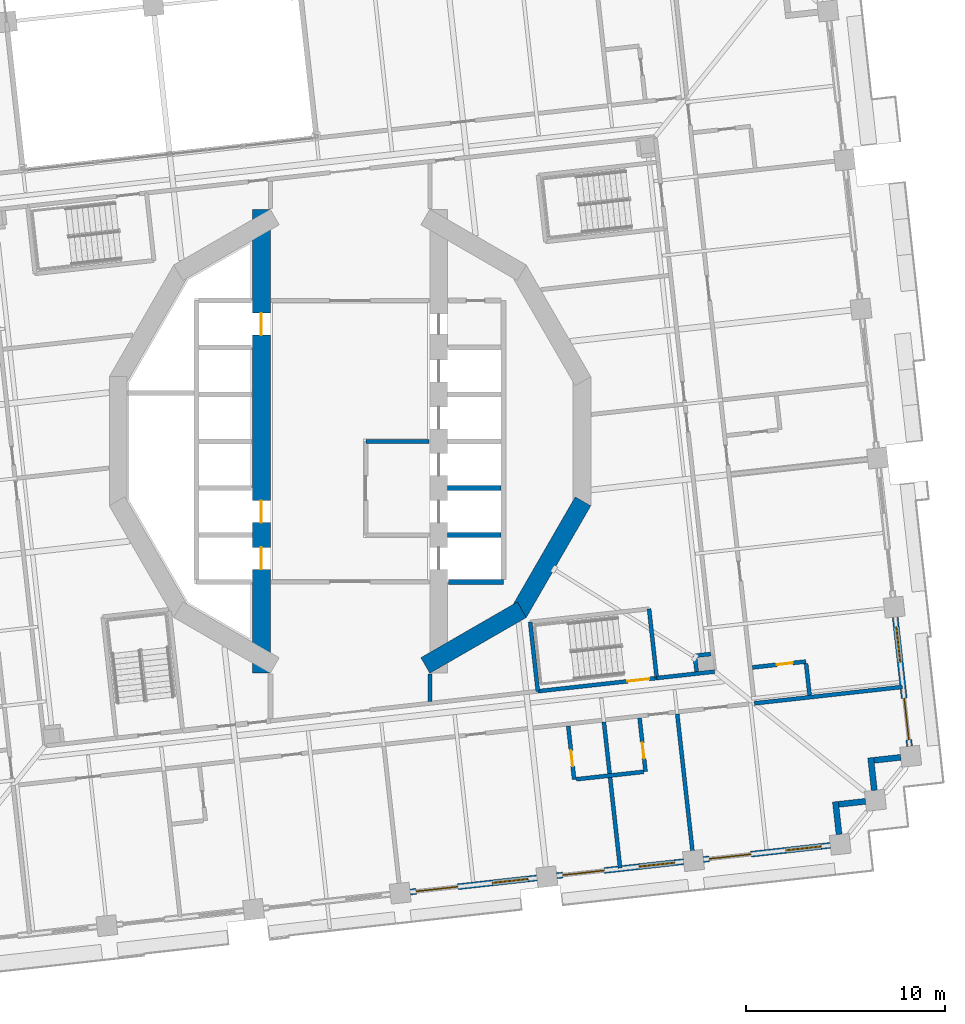
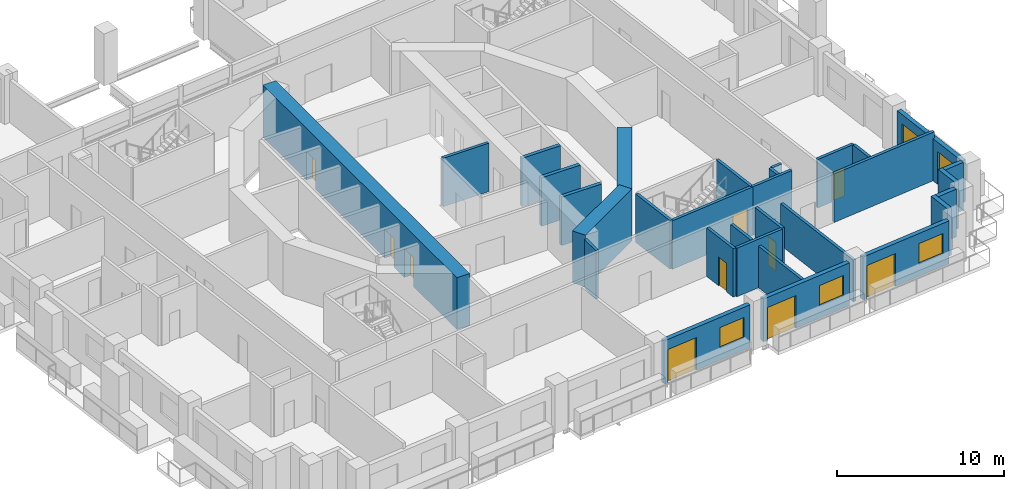
# One storey, part 9 of 21: 30 walls, 11 doors, 4 windows, 15 openings.
"""IFC4 building model written with IfcOpenShell, lengths in metres."""

from ifc_helpers import new_model, si_unit, direction, frame, frame_2d, origin, place, context, subcontext, project, spatial, rectangle, extrude, material, layer, layer_set, type_object, element, fill, save


model = new_model("IFC4")

# Units and contexts
model_context = context("Model", 3, precision=1e-05, world=origin(), true_north=direction((0.0, 1.0)))
body_context = subcontext(model_context, "Body", "Model", "MODEL_VIEW")
ifc_project = project(units=[si_unit("LENGTHUNIT", "METRE"), si_unit("AREAUNIT", "SQUARE_METRE"), si_unit("VOLUMEUNIT", "CUBIC_METRE"), si_unit("PLANEANGLEUNIT", "RADIAN"), si_unit("MASSUNIT", "GRAM", prefix="KILO")], contexts=[model_context])

# Site, building, storey
site_placement = place(None, origin())
site = spatial("IfcSite", under=ifc_project, at=site_placement, CompositionType="ELEMENT")
building_placement = place(site_placement, origin())
building = spatial("IfcBuilding", under=site, at=building_placement, Name="Cantera Rosa Tower", CompositionType="ELEMENT")
storey_placement = place(building_placement, frame((0.0, 0.0, 61.5)))
storey = spatial("IfcBuildingStorey", under=building, at=storey_placement, Name="L12", CompositionType="ELEMENT", Elevation=61.5)

# Walls
ifc_material_1 = material(Name="Gypsum board partition")
ifc_layer_1 = layer(ifc_material_1, 0.199951171875)
ifc_layer_set_1 = layer_set([ifc_layer_1], Name="CORRIDOR WALL 200 H3550")
wall_type_1 = type_object("IfcWallType", Name="CORRIDOR WALL 200 H3550", PredefinedType="PARTITIONING", material=ifc_layer_set_1)
wall_1_placement = place(storey_placement, frame((4.0, -13.038818359375, 0.0), z_axis=(0.0, 0.0, 1.0), x_axis=(0.0, 1.0, 0.0)))
element("IfcWall", 1, at=wall_1_placement, inside=storey, type_object=wall_type_1, Name="CORRIDOR WALL L12-059", PredefinedType="PARTITIONING", context=body_context, shape_type="SweptSolid", body=[
    extrude(rectangle(XDim=1.37158203125, YDim=0.199951171875, at=frame_2d((0.685791015625, 0.0))), origin(), (0.0, 0.0, 1.0), 3.550048828125),
])
wall_2_placement = place(storey_placement, frame((15.382080078125, -11.87548828125, 0.0), z_axis=(0.0, 0.0, 1.0), x_axis=(0.993899009794, 0.110293963256, 0.0)))
element("IfcWall", 2, at=wall_2_placement, inside=storey, type_object=wall_type_1, Name="CORRIDOR WALL L12-086", PredefinedType="PARTITIONING", context=body_context, shape_type="SweptSolid", body=[
    extrude(rectangle(XDim=2.921875, YDim=0.199951171875, at=frame_2d((1.4609375, 0.0))), origin(), (0.0, 0.0, 1.0), 3.550048828125),
])
ifc_material_2 = material(Name="Hollow clay masonry with cantera stone cladding", Category="masonry")
ifc_layer_2 = layer(ifc_material_2, 0.300048828125)
ifc_layer_set_2 = layer_set([ifc_layer_2], Name="EW-LOGGIA 300")
wall_type_2 = type_object("IfcWallType", Name="EW-LOGGIA 300", PredefinedType="SOLIDWALL", material=ifc_layer_set_2)
wall_3_placement = place(storey_placement, frame((24.5244140625, -19.71484375, 0.0), z_axis=(0.0, 0.0, 1.0), x_axis=(-0.110236638423, 0.993905369514, 0.0)))
element("IfcWall", 3, at=wall_3_placement, inside=storey, type_object=wall_type_2, Name="EN-L12-W29a", PredefinedType="SOLIDWALL", context=body_context, shape_type="SweptSolid", body=[
    extrude(rectangle(XDim=1.64990234375, YDim=0.300048828125, at=frame_2d((0.824951171875, 0.0))), origin(), (0.0, 0.0, 1.0), 3.5),
])
wall_4_placement = place(storey_placement, frame((24.508056640625, -18.20751953125, 0.0), z_axis=(0.0, 0.0, 1.0), x_axis=(0.993896959738, 0.110312435488, 0.0)))
element("IfcWall", 4, at=wall_4_placement, inside=storey, type_object=wall_type_2, Name="EN-L12-W29b", PredefinedType="SOLIDWALL", context=body_context, shape_type="SweptSolid", body=[
    extrude(rectangle(XDim=1.35009765625, YDim=0.300048828125, at=frame_2d((0.675048828125, 0.0))), origin(), (0.0, 0.0, 1.0), 3.5),
])
wall_5_placement = place(storey_placement, frame((26.291748046875, -17.506591796875, 0.0), z_axis=(0.0, 0.0, 1.0), x_axis=(-0.110382805355, 0.993889146878, 0.0)))
element("IfcWall", 5, at=wall_5_placement, inside=storey, type_object=wall_type_2, Name="EN-L12-W30a", PredefinedType="SOLIDWALL", context=body_context, shape_type="SweptSolid", body=[
    extrude(rectangle(XDim=1.64990234375, YDim=0.300048828125, at=frame_2d((0.824951171875, 0.0))), origin(), (0.0, 0.0, 1.0), 3.5),
])
wall_6_placement = place(storey_placement, frame((26.275146484375, -15.999267578125, 0.0), z_axis=(0.0, 0.0, 1.0), x_axis=(0.993896959738, 0.110312435488, 0.0)))
element("IfcWall", 6, at=wall_6_placement, inside=storey, type_object=wall_type_2, Name="EN-L12-W30b", PredefinedType="SOLIDWALL", context=body_context, shape_type="SweptSolid", body=[
    extrude(rectangle(XDim=1.35009765625, YDim=0.300048828125, at=frame_2d((0.675048828125, 0.0))), origin(), (0.0, 0.0, 1.0), 3.5),
])

# Wall, openings, window, door
ifc_material_3 = material(Name="Hollow clay masonry with cantera stone cladding", Category="masonry")
ifc_layer_3 = layer(ifc_material_3, 0.300048828125)
ifc_layer_set_3 = layer_set([ifc_layer_3], Name="EW-LOGGIA 300 H3090")
wall_type_3 = type_object("IfcWallType", Name="EW-LOGGIA 300 H3090", PredefinedType="SOLIDWALL", material=ifc_layer_set_3)
wall_7_placement = place(storey_placement, frame((28.058837890625, -15.298095703125, 0.0), z_axis=(0.0, 0.0, 1.0), x_axis=(-0.110312341265, 0.993896970196, 0.0)))
wall_7 = element("IfcWall", 7, at=wall_7_placement, inside=storey, type_object=wall_type_3, Name="EN-L12-W01", PredefinedType="SOLIDWALL", context=body_context, shape_type="SweptSolid", body=[
    extrude(rectangle(XDim=6.52001953125, YDim=0.300048828125, at=frame_2d((3.260009765625, 0.0))), origin(), (0.0, 0.0, 1.0), 3.090087890625),
])
opening_1_placement = place(wall_7_placement, frame((0.330078125, 0.0, 0.0)))
opening_1 = element("IfcOpeningElement", 8, at=opening_1_placement, cuts=wall_7, Name="Opening L12-TD01", PredefinedType="OPENING", context=body_context, shape_type="SweptSolid", body=[
    extrude(rectangle(XDim=2.10009765625, YDim=2.39990234375, at=frame_2d((1.050048828125, 1.199951171875))), frame((0.0, 0.159912109375, 0.0), z_axis=(0.0, -1.0, 0.0), x_axis=(1.0, 0.0, 0.0)), (0.0, 0.0, 1.0), 0.320068359375),
])
opening_2_placement = place(wall_7_placement, frame((4.239990234375, 0.0, 0.89990234375)))
opening_2 = element("IfcOpeningElement", 9, at=opening_2_placement, cuts=wall_7, Name="Opening L12-W02", PredefinedType="OPENING", context=body_context, shape_type="SweptSolid", body=[
    extrude(rectangle(XDim=1.800048828125, YDim=1.5, at=frame_2d((0.89990234375, 0.75))), frame((0.0, 0.159912109375, 0.0), z_axis=(0.0, -1.0, 0.0), x_axis=(1.0, 0.0, 0.0)), (0.0, 0.0, 1.0), 0.320068359375),
])
ifc_material_4 = material(Name="Aluminium frame with clear glass", Category="aluminium")
window_type = type_object("IfcWindowType", Name="Hotel room window 1800x1500", PartitioningType="DOUBLE_PANEL_VERTICAL", PredefinedType="WINDOW", material=ifc_material_4)
window_1_placement = place(opening_2_placement, origin())
window_1 = element("IfcWindow", 10, at=window_1_placement, inside=storey, type_object=window_type, Name="WINDOW L12-W02", OverallHeight=1.5, OverallWidth=1.800048828125, PartitioningType="SINGLE_PANEL", PredefinedType="WINDOW", context=body_context, shape_type="SweptSolid", body=[
    extrude(rectangle(XDim=1.800048828125, YDim=1.5, at=frame_2d((0.89990234375, 0.75))), frame((0.0, 0.030029296875, 0.0), z_axis=(0.0, -1.0, 0.0), x_axis=(1.0, 0.0, 0.0)), (0.0, 0.0, 1.0), 0.06005859375),
])
fill(opening_2, window_1)
ifc_material_5 = material(Name="Aluminium frame with clear glass", Category="aluminium")
door_type_1 = type_object("IfcDoorType", Name="TD-H 2100x2400", OperationType="NOTDEFINED", PredefinedType="DOOR", material=ifc_material_5)
door_1_placement = place(opening_1_placement, origin())
door_1 = element("IfcDoor", 11, at=door_1_placement, inside=storey, type_object=door_type_1, Name="LOGGIA DOOR L12-TD01", OperationType="SLIDING_TO_LEFT", OverallHeight=2.39990234375, OverallWidth=2.10009765625, PredefinedType="DOOR", context=body_context, shape_type="SweptSolid", body=[
    extrude(rectangle(XDim=2.10009765625, YDim=2.39990234375, at=frame_2d((1.050048828125, 1.199951171875))), frame((0.0, 0.02490234375, 0.0), z_axis=(0.0, -1.0, 0.0), x_axis=(1.0, 0.0, 0.0)), (0.0, 0.0, 1.0), 0.050048828125),
])
fill(opening_1, door_1)

ifc_material_6 = material(Name="Hollow clay masonry with cantera stone cladding", Category="masonry")
ifc_layer_4 = layer(ifc_material_6, 0.300048828125)
ifc_layer_set_4 = layer_set([ifc_layer_4], Name="EW-LOGGIA 300 H3140")
wall_type_4 = type_object("IfcWallType", Name="EW-LOGGIA 300 H3140", PredefinedType="SOLIDWALL", material=ifc_layer_set_4)
wall_8_placement = place(storey_placement, frame((3.011962890625, -22.605712890625, 0.0), z_axis=(0.0, 0.0, 1.0), x_axis=(0.993896288542, 0.110318482689, 0.0)))
wall_8 = element("IfcWall", 12, at=wall_8_placement, inside=storey, type_object=wall_type_4, Name="EN-L12-W26", PredefinedType="SOLIDWALL", context=body_context, shape_type="SweptSolid", body=[
    extrude(rectangle(XDim=6.400146484375, YDim=0.300048828125, at=frame_2d((3.2001953125, 0.0))), origin(), (0.0, 0.0, 1.0), 3.139892578125),
])
opening_3_placement = place(wall_8_placement, frame((0.300048828125, 0.0, 0.0)))
opening_3 = element("IfcOpeningElement", 13, at=opening_3_placement, cuts=wall_8, Name="Opening L12-TD35", PredefinedType="OPENING", context=body_context, shape_type="SweptSolid", body=[
    extrude(rectangle(XDim=2.10009765625, YDim=2.39990234375, at=frame_2d((1.050048828125, 1.199951171875))), frame((0.0, 0.159912109375, 0.0), z_axis=(0.0, -1.0, 0.0), x_axis=(1.0, 0.0, 0.0)), (0.0, 0.0, 1.0), 0.320068359375),
])
opening_4_placement = place(wall_8_placement, frame((4.14990234375, 0.0, 0.89990234375)))
opening_4 = element("IfcOpeningElement", 14, at=opening_4_placement, cuts=wall_8, Name="Opening L12-W36", PredefinedType="OPENING", context=body_context, shape_type="SweptSolid", body=[
    extrude(rectangle(XDim=1.800048828125, YDim=1.5, at=frame_2d((0.89990234375, 0.75))), frame((0.0, 0.159912109375, 0.0), z_axis=(0.0, -1.0, 0.0), x_axis=(1.0, 0.0, 0.0)), (0.0, 0.0, 1.0), 0.320068359375),
])
window_2_placement = place(opening_4_placement, origin())
window_2 = element("IfcWindow", 15, at=window_2_placement, inside=storey, type_object=window_type, Name="WINDOW L12-W36", OverallHeight=1.5, OverallWidth=1.800048828125, PartitioningType="SINGLE_PANEL", PredefinedType="WINDOW", context=body_context, shape_type="SweptSolid", body=[
    extrude(rectangle(XDim=1.800048828125, YDim=1.5, at=frame_2d((0.89990234375, 0.75))), frame((0.0, 0.030029296875, 0.0), z_axis=(0.0, -1.0, 0.0), x_axis=(1.0, 0.0, 0.0)), (0.0, 0.0, 1.0), 0.06005859375),
])
fill(opening_4, window_2)
door_2_placement = place(opening_3_placement, origin())
door_2 = element("IfcDoor", 16, at=door_2_placement, inside=storey, type_object=door_type_1, Name="LOGGIA DOOR L12-TD35", OperationType="SLIDING_TO_LEFT", OverallHeight=2.39990234375, OverallWidth=2.10009765625, PredefinedType="DOOR", context=body_context, shape_type="SweptSolid", body=[
    extrude(rectangle(XDim=2.10009765625, YDim=2.39990234375, at=frame_2d((1.050048828125, 1.199951171875))), frame((0.0, 0.02490234375, 0.0), z_axis=(0.0, -1.0, 0.0), x_axis=(1.0, 0.0, 0.0)), (0.0, 0.0, 1.0), 0.050048828125),
])
fill(opening_3, door_2)

wall_9_placement = place(storey_placement, frame((10.366943359375, -21.789306640625, 0.0), z_axis=(0.0, 0.0, 1.0), x_axis=(0.993900006422, 0.110284981906, 0.0)))
wall_9 = element("IfcWall", 17, at=wall_9_placement, inside=storey, type_object=wall_type_4, Name="EN-L12-W27", PredefinedType="SOLIDWALL", context=body_context, shape_type="SweptSolid", body=[
    extrude(rectangle(XDim=6.39990234375, YDim=0.300048828125, at=frame_2d((3.199951171875, 0.0))), origin(), (0.0, 0.0, 1.0), 3.139892578125),
])
opening_5_placement = place(wall_9_placement, frame((0.300048828125, 0.0, 0.0)))
opening_5 = element("IfcOpeningElement", 18, at=opening_5_placement, cuts=wall_9, Name="Opening L12-TD37", PredefinedType="OPENING", context=body_context, shape_type="SweptSolid", body=[
    extrude(rectangle(XDim=2.10009765625, YDim=2.39990234375, at=frame_2d((1.050048828125, 1.199951171875))), frame((0.0, 0.159912109375, 0.0), z_axis=(0.0, -1.0, 0.0), x_axis=(1.0, 0.0, 0.0)), (0.0, 0.0, 1.0), 0.320068359375),
])
opening_6_placement = place(wall_9_placement, frame((4.14990234375, 0.0, 0.89990234375)))
opening_6 = element("IfcOpeningElement", 19, at=opening_6_placement, cuts=wall_9, Name="Opening L12-W38", PredefinedType="OPENING", context=body_context, shape_type="SweptSolid", body=[
    extrude(rectangle(XDim=1.800048828125, YDim=1.5, at=frame_2d((0.89990234375, 0.75))), frame((0.0, 0.159912109375, 0.0), z_axis=(0.0, -1.0, 0.0), x_axis=(1.0, 0.0, 0.0)), (0.0, 0.0, 1.0), 0.320068359375),
])
window_3_placement = place(opening_6_placement, origin())
window_3 = element("IfcWindow", 20, at=window_3_placement, inside=storey, type_object=window_type, Name="WINDOW L12-W38", OverallHeight=1.5, OverallWidth=1.800048828125, PartitioningType="SINGLE_PANEL", PredefinedType="WINDOW", context=body_context, shape_type="SweptSolid", body=[
    extrude(rectangle(XDim=1.800048828125, YDim=1.5, at=frame_2d((0.89990234375, 0.75))), frame((0.0, 0.030029296875, 0.0), z_axis=(0.0, -1.0, 0.0), x_axis=(1.0, 0.0, 0.0)), (0.0, 0.0, 1.0), 0.06005859375),
])
fill(opening_6, window_3)
door_3_placement = place(opening_5_placement, origin())
door_3 = element("IfcDoor", 21, at=door_3_placement, inside=storey, type_object=door_type_1, Name="LOGGIA DOOR L12-TD37", OperationType="SLIDING_TO_LEFT", OverallHeight=2.39990234375, OverallWidth=2.10009765625, PredefinedType="DOOR", context=body_context, shape_type="SweptSolid", body=[
    extrude(rectangle(XDim=2.10009765625, YDim=2.39990234375, at=frame_2d((1.050048828125, 1.199951171875))), frame((0.0, 0.02490234375, 0.0), z_axis=(0.0, -1.0, 0.0), x_axis=(1.0, 0.0, 0.0)), (0.0, 0.0, 1.0), 0.050048828125),
])
fill(opening_5, door_3)

wall_10_placement = place(storey_placement, frame((17.7216796875, -20.97314453125, 0.0), z_axis=(0.0, 0.0, 1.0), x_axis=(0.993896288542, 0.110318482689, 0.0)))
wall_10 = element("IfcWall", 22, at=wall_10_placement, inside=storey, type_object=wall_type_4, Name="EN-L12-W28", PredefinedType="SOLIDWALL", context=body_context, shape_type="SweptSolid", body=[
    extrude(rectangle(XDim=6.400146484375, YDim=0.300048828125, at=frame_2d((3.2001953125, 0.0))), origin(), (0.0, 0.0, 1.0), 3.139892578125),
])
opening_7_placement = place(wall_10_placement, frame((0.300048828125, 0.0, 0.0)))
opening_7 = element("IfcOpeningElement", 23, at=opening_7_placement, cuts=wall_10, Name="Opening L12-TD39", PredefinedType="OPENING", context=body_context, shape_type="SweptSolid", body=[
    extrude(rectangle(XDim=2.10009765625, YDim=2.39990234375, at=frame_2d((1.050048828125, 1.199951171875))), frame((0.0, 0.159912109375, 0.0), z_axis=(0.0, -1.0, 0.0), x_axis=(1.0, 0.0, 0.0)), (0.0, 0.0, 1.0), 0.320068359375),
])
opening_8_placement = place(wall_10_placement, frame((4.14990234375, 0.0, 0.89990234375)))
opening_8 = element("IfcOpeningElement", 24, at=opening_8_placement, cuts=wall_10, Name="Opening L12-W40", PredefinedType="OPENING", context=body_context, shape_type="SweptSolid", body=[
    extrude(rectangle(XDim=1.800048828125, YDim=1.5, at=frame_2d((0.89990234375, 0.75))), frame((0.0, 0.159912109375, 0.0), z_axis=(0.0, -1.0, 0.0), x_axis=(1.0, 0.0, 0.0)), (0.0, 0.0, 1.0), 0.320068359375),
])
window_4_placement = place(opening_8_placement, origin())
window_4 = element("IfcWindow", 25, at=window_4_placement, inside=storey, type_object=window_type, Name="WINDOW L12-W40", OverallHeight=1.5, OverallWidth=1.800048828125, PartitioningType="SINGLE_PANEL", PredefinedType="WINDOW", context=body_context, shape_type="SweptSolid", body=[
    extrude(rectangle(XDim=1.800048828125, YDim=1.5, at=frame_2d((0.89990234375, 0.75))), frame((0.0, 0.030029296875, 0.0), z_axis=(0.0, -1.0, 0.0), x_axis=(1.0, 0.0, 0.0)), (0.0, 0.0, 1.0), 0.06005859375),
])
fill(opening_8, window_4)
door_4_placement = place(opening_7_placement, origin())
door_4 = element("IfcDoor", 26, at=door_4_placement, inside=storey, type_object=door_type_1, Name="LOGGIA DOOR L12-TD39", OperationType="SLIDING_TO_LEFT", OverallHeight=2.39990234375, OverallWidth=2.10009765625, PredefinedType="DOOR", context=body_context, shape_type="SweptSolid", body=[
    extrude(rectangle(XDim=2.10009765625, YDim=2.39990234375, at=frame_2d((1.050048828125, 1.199951171875))), frame((0.0, 0.02490234375, 0.0), z_axis=(0.0, -1.0, 0.0), x_axis=(1.0, 0.0, 0.0)), (0.0, 0.0, 1.0), 0.050048828125),
])
fill(opening_7, door_4)

# Wall, opening, door
ifc_material_7 = material(Name="Gypsum board partition")
ifc_layer_5 = layer(ifc_material_7, 0.199951171875)
ifc_layer_set_5 = layer_set([ifc_layer_5], Name="PARTITION 200 H3550")
wall_type_5 = type_object("IfcWallType", Name="PARTITION 200 H3550", PredefinedType="PARTITIONING", material=ifc_layer_set_5)
wall_11_placement = place(storey_placement, frame((11.239990234375, -16.963623046875, 0.0), z_axis=(0.0, 0.0, 1.0), x_axis=(-0.110312435488, 0.993896959738, 0.0)))
wall_11 = element("IfcWall", 27, at=wall_11_placement, inside=storey, type_object=wall_type_5, Name="PARTITION L12-074", PredefinedType="PARTITIONING", context=body_context, shape_type="SweptSolid", body=[
    extrude(rectangle(XDim=2.699951171875, YDim=0.199951171875, at=frame_2d((1.35009765625, 0.0))), origin(), (0.0, 0.0, 1.0), 3.550048828125),
])
opening_9_placement = place(wall_11_placement, frame((0.6640625, 0.0, 0.0)))
opening_9 = element("IfcOpeningElement", 28, at=opening_9_placement, cuts=wall_11, Name="Opening L12-043", PredefinedType="OPENING", context=body_context, shape_type="SweptSolid", body=[
    extrude(rectangle(XDim=0.800048828125, YDim=2.10009765625, at=frame_2d((0.39990234375, 1.050048828125))), frame((0.0, 0.10986328125, 0.0), z_axis=(0.0, -1.0, 0.0), x_axis=(1.0, 0.0, 0.0)), (0.0, 0.0, 1.0), 0.219970703125),
])
ifc_material_8 = material(Name="Timber door leaf", Category="wood")
door_type_2 = type_object("IfcDoorType", Name="BATHROOM DOOR 800x2100", OperationType="NOTDEFINED", PredefinedType="DOOR", material=ifc_material_8)
door_5_placement = place(opening_9_placement, origin())
door_5 = element("IfcDoor", 29, at=door_5_placement, inside=storey, type_object=door_type_2, Name="DOOR L12-043", OperationType="NOTDEFINED", OverallHeight=2.10009765625, OverallWidth=0.800048828125, PredefinedType="DOOR", context=body_context, shape_type="SweptSolid", body=[
    extrude(rectangle(XDim=0.800048828125, YDim=2.10009765625, at=frame_2d((0.39990234375, 1.050048828125))), frame((0.0, 0.02490234375, 0.0), z_axis=(0.0, -1.0, 0.0), x_axis=(1.0, 0.0, 0.0)), (0.0, 0.0, 1.0), 0.050048828125),
])
fill(opening_9, door_5)

wall_12_placement = place(storey_placement, frame((14.52001953125, -13.883056640625, 0.0), z_axis=(0.0, 0.0, 1.0), x_axis=(0.110322349952, -0.993895859284, 0.0)))
wall_12 = element("IfcWall", 30, at=wall_12_placement, inside=storey, type_object=wall_type_5, Name="PARTITION L12-080", PredefinedType="PARTITIONING", context=body_context, shape_type="SweptSolid", body=[
    extrude(rectangle(XDim=2.699951171875, YDim=0.199951171875, at=frame_2d((1.35009765625, 0.0))), origin(), (0.0, 0.0, 1.0), 3.550048828125),
])
opening_10_placement = place(wall_12_placement, frame((1.236083984375, 0.0, 0.0)))
opening_10 = element("IfcOpeningElement", 31, at=opening_10_placement, cuts=wall_12, Name="Opening L12-045", PredefinedType="OPENING", context=body_context, shape_type="SweptSolid", body=[
    extrude(rectangle(XDim=0.800048828125, YDim=2.10009765625, at=frame_2d((0.39990234375, 1.050048828125))), frame((0.0, 0.10986328125, 0.0), z_axis=(0.0, -1.0, 0.0), x_axis=(1.0, 0.0, 0.0)), (0.0, 0.0, 1.0), 0.219970703125),
])
door_6_placement = place(opening_10_placement, origin())
door_6 = element("IfcDoor", 32, at=door_6_placement, inside=storey, type_object=door_type_2, Name="DOOR L12-045", OperationType="NOTDEFINED", OverallHeight=2.10009765625, OverallWidth=0.800048828125, PredefinedType="DOOR", context=body_context, shape_type="SweptSolid", body=[
    extrude(rectangle(XDim=0.800048828125, YDim=2.10009765625, at=frame_2d((0.39990234375, 1.050048828125))), frame((0.0, 0.02490234375, 0.0), z_axis=(0.0, -1.0, 0.0), x_axis=(1.0, 0.0, 0.0)), (0.0, 0.0, 1.0), 0.050048828125),
])
fill(opening_10, door_6)

# Walls
wall_13_placement = place(storey_placement, frame((14.718505859375, -16.577392578125, 0.0), z_axis=(0.0, 0.0, 1.0), x_axis=(-0.993890738306, -0.110368475166, 0.0)))
element("IfcWall", 33, at=wall_13_placement, inside=storey, type_object=wall_type_5, Name="PARTITION L12-082", PredefinedType="PARTITIONING", context=body_context, shape_type="SweptSolid", body=[
    extrude(rectangle(XDim=3.39990234375, YDim=0.199951171875, at=frame_2d((1.699951171875, 0.0))), origin(), (0.0, 0.0, 1.0), 3.550048828125),
])
wall_14_placement = place(storey_placement, frame((17.292236328125, -10.758056640625, 0.0), z_axis=(0.0, 0.0, 1.0), x_axis=(0.110465018303, -0.993880012744, 0.0)))
element("IfcWall", 34, at=wall_14_placement, inside=storey, type_object=wall_type_5, Name="PARTITION L12-099", PredefinedType="PARTITIONING", context=body_context, shape_type="SweptSolid", body=[
    extrude(rectangle(XDim=0.800048828125, YDim=0.199951171875, at=frame_2d((0.39990234375, 0.0))), origin(), (0.0, 0.0, 1.0), 3.550048828125),
])
wall_15_placement = place(storey_placement, frame((18.08740234375, -10.669921875, 0.0), z_axis=(0.0, 0.0, 1.0), x_axis=(-0.993909225707, -0.110201865026, 0.0)))
element("IfcWall", 35, at=wall_15_placement, inside=storey, type_object=wall_type_5, Name="PARTITION L12-101", PredefinedType="PARTITIONING", context=body_context, shape_type="SweptSolid", body=[
    extrude(rectangle(XDim=0.699951171875, YDim=0.199951171875, at=frame_2d((0.35009765625, 0.0))), origin(), (0.0, 0.0, 1.0), 3.550048828125),
])

# Wall, opening, door
wall_16_placement = place(storey_placement, frame((20.174560546875, -11.34375, 0.0), z_axis=(0.0, 0.0, 1.0), x_axis=(0.993895859284, 0.110322349952, 0.0)))
wall_16 = element("IfcWall", 36, at=wall_16_placement, inside=storey, type_object=wall_type_5, Name="PARTITION L12-105", PredefinedType="PARTITIONING", context=body_context, shape_type="SweptSolid", body=[
    extrude(rectangle(XDim=2.699951171875, YDim=0.199951171875, at=frame_2d((1.35009765625, 0.0))), origin(), (0.0, 0.0, 1.0), 3.550048828125),
])
opening_11_placement = place(wall_16_placement, frame((1.236083984375, 0.0, 0.0)))
opening_11 = element("IfcOpeningElement", 37, at=opening_11_placement, cuts=wall_16, Name="Opening L12-020", PredefinedType="OPENING", context=body_context, shape_type="SweptSolid", body=[
    extrude(rectangle(XDim=0.800048828125, YDim=2.10009765625, at=frame_2d((0.39990234375, 1.050048828125))), frame((0.0, 0.10986328125, 0.0), z_axis=(0.0, -1.0, 0.0), x_axis=(1.0, 0.0, 0.0)), (0.0, 0.0, 1.0), 0.219970703125),
])
door_7_placement = place(opening_11_placement, origin())
door_7 = element("IfcDoor", 38, at=door_7_placement, inside=storey, type_object=door_type_2, Name="DOOR L12-020", OperationType="NOTDEFINED", OverallHeight=2.10009765625, OverallWidth=0.800048828125, PredefinedType="DOOR", context=body_context, shape_type="SweptSolid", body=[
    extrude(rectangle(XDim=0.800048828125, YDim=2.10009765625, at=frame_2d((0.39990234375, 1.050048828125))), frame((0.0, 0.02490234375, 0.0), z_axis=(0.0, -1.0, 0.0), x_axis=(1.0, 0.0, 0.0)), (0.0, 0.0, 1.0), 0.050048828125),
])
fill(opening_11, door_7)

# Walls
wall_17_placement = place(storey_placement, frame((22.868896484375, -11.145263671875, 0.0), z_axis=(0.0, 0.0, 1.0), x_axis=(0.110314300314, -0.99389675276, 0.0)))
element("IfcWall", 39, at=wall_17_placement, inside=storey, type_object=wall_type_5, Name="PARTITION L12-110", PredefinedType="PARTITIONING", context=body_context, shape_type="SweptSolid", body=[
    extrude(rectangle(XDim=1.60009765625, YDim=0.199951171875, at=frame_2d((0.800048828125, 0.0))), origin(), (0.0, 0.0, 1.0), 3.550048828125),
])
ifc_material_9 = material(Name="Gypsum board partition")
ifc_layer_6 = layer(ifc_material_9, 0.199951171875)
ifc_layer_set_6 = layer_set([ifc_layer_6], Name="PARTY WALL 200 H3050")
wall_type_6 = type_object("IfcWallType", Name="PARTY WALL 200 H3050", PredefinedType="PARTITIONING", material=ifc_layer_set_6)
for number, where, z_axis, x_axis, name in (
    (40, (12.731201171875, -14.08154296875, 0.0), (0.0, 0.0, 1.0), (0.11031154238, -0.993897058864, 0.0), "PARTY WALL L12-076"),
    (41, (16.408447265625, -13.67333984375, 0.0), (0.0, 0.0, 1.0), (0.11031154238, -0.993897058864, 0.0), "PARTY WALL L12-090"),
):
    element("IfcWall", number, at=place(storey_placement, frame(where, z_axis=z_axis, x_axis=x_axis)), inside=storey, type_object=wall_type_6, Name=name, PredefinedType="PARTITIONING", context=body_context, shape_type="SweptSolid", body=[
        extrude(rectangle(XDim=7.369873046875, YDim=0.199951171875, at=frame_2d((3.68505859375, 0.0))), origin(), (0.0, 0.0, 1.0), 3.050048828125),
    ])
ifc_material_10 = material(Name="Gypsum board partition")
ifc_layer_7 = layer(ifc_material_10, 0.199951171875)
ifc_layer_set_7 = layer_set([ifc_layer_7], Name="PARTY WALL 200 H3550")
wall_type_7 = type_object("IfcWallType", Name="PARTY WALL 200 H3550", PredefinedType="PARTITIONING", material=ifc_layer_set_7)
wall_18_placement = place(storey_placement, frame((27.697998046875, -12.319580078125, 0.0), z_axis=(0.0, 0.0, 1.0), x_axis=(-0.993894093242, -0.110338259085, 0.0)))
element("IfcWall", 42, at=wall_18_placement, inside=storey, type_object=wall_type_7, Name="PARTY WALL L12-111", PredefinedType="PARTITIONING", context=body_context, shape_type="SweptSolid", body=[
    extrude(rectangle(XDim=7.469970703125, YDim=0.199951171875, at=frame_2d((3.73486328125, 0.0))), origin(), (0.0, 0.0, 1.0), 3.550048828125),
])

# Wall, openings, doors
ifc_material_11 = material(Name="Concrete C70/85", Category="concrete")
ifc_layer_8 = layer(ifc_material_11, 0.89990234375)
ifc_layer_set_8 = layer_set([ifc_layer_8], Name="RC CORE WALL 900 C70/85")
wall_type_8 = type_object("IfcWallType", Name="RC CORE WALL 900 C70/85", PredefinedType="SHEAR", material=ifc_layer_set_8)
wall_19_placement = place(storey_placement, frame((-4.449951171875, 11.632568359375, 0.0), z_axis=(0.0, 0.0, 1.0), x_axis=(0.0, -1.0, 0.0)))
wall_19 = element("IfcWall", 43, at=wall_19_placement, inside=storey, type_object=wall_type_8, Name="CW-W6 L12", PredefinedType="SHEAR", context=body_context, shape_type="SweptSolid", body=[
    extrude(rectangle(XDim=23.26513671875, YDim=0.89990234375, at=frame_2d((11.632568359375, 0.0))), origin(), (0.0, 0.0, 1.0), 3.800048828125),
])
opening_12_placement = place(wall_19_placement, frame((14.607421875, 0.0, 0.0)))
opening_12 = element("IfcOpeningElement", 44, at=opening_12_placement, cuts=wall_19, Name="Opening LD-P3-L12", PredefinedType="OPENING", context=body_context, shape_type="SweptSolid", body=[
    extrude(rectangle(XDim=1.10009765625, YDim=2.10009765625, at=frame_2d((0.550048828125, 1.050048828125))), frame((0.0, 0.4599609375, 0.0), z_axis=(0.0, -1.0, 0.0), x_axis=(1.0, 0.0, 0.0)), (0.0, 0.0, 1.0), 0.919921875),
])
opening_13_placement = place(wall_19_placement, frame((16.95751953125, 0.0, 0.0)))
opening_13 = element("IfcOpeningElement", 45, at=opening_13_placement, cuts=wall_19, Name="Opening LD-P4-L12", PredefinedType="OPENING", context=body_context, shape_type="SweptSolid", body=[
    extrude(rectangle(XDim=1.10009765625, YDim=2.10009765625, at=frame_2d((0.550048828125, 1.050048828125))), frame((0.0, 0.4599609375, 0.0), z_axis=(0.0, -1.0, 0.0), x_axis=(1.0, 0.0, 0.0)), (0.0, 0.0, 1.0), 0.919921875),
])
opening_14_placement = place(wall_19_placement, frame((5.20751953125, 0.0, 0.0)))
opening_14 = element("IfcOpeningElement", 46, at=opening_14_placement, cuts=wall_19, Name="Opening LD-P5-L12", PredefinedType="OPENING", context=body_context, shape_type="SweptSolid", body=[
    extrude(rectangle(XDim=1.10009765625, YDim=2.10009765625, at=frame_2d((0.550048828125, 1.050048828125))), frame((0.0, 0.4599609375, 0.0), z_axis=(0.0, -1.0, 0.0), x_axis=(1.0, 0.0, 0.0)), (0.0, 0.0, 1.0), 0.919921875),
])
ifc_material_12 = material(Name="Steel S355J2 (EN 10025-2)", Category="steel")
door_type_3 = type_object("IfcDoorType", Name="LANDING DOOR 1100x2100", OperationType="NOTDEFINED", PredefinedType="DOOR", material=ifc_material_12)
door_8_placement = place(opening_12_placement, origin())
door_8 = element("IfcDoor", 47, at=door_8_placement, inside=storey, type_object=door_type_3, Name="LANDING DOOR P3 L12", OperationType="SLIDING_TO_LEFT", OverallHeight=2.10009765625, OverallWidth=1.10009765625, PredefinedType="DOOR", context=body_context, shape_type="SweptSolid", body=[
    extrude(rectangle(XDim=1.10009765625, YDim=2.10009765625, at=frame_2d((0.550048828125, 1.050048828125))), frame((0.0, 0.02490234375, 0.0), z_axis=(0.0, -1.0, 0.0), x_axis=(1.0, 0.0, 0.0)), (0.0, 0.0, 1.0), 0.050048828125),
])
fill(opening_12, door_8)
door_9_placement = place(opening_13_placement, origin())
door_9 = element("IfcDoor", 48, at=door_9_placement, inside=storey, type_object=door_type_3, Name="LANDING DOOR P4 L12", OperationType="SLIDING_TO_LEFT", OverallHeight=2.10009765625, OverallWidth=1.10009765625, PredefinedType="DOOR", context=body_context, shape_type="SweptSolid", body=[
    extrude(rectangle(XDim=1.10009765625, YDim=2.10009765625, at=frame_2d((0.550048828125, 1.050048828125))), frame((0.0, 0.02490234375, 0.0), z_axis=(0.0, -1.0, 0.0), x_axis=(1.0, 0.0, 0.0)), (0.0, 0.0, 1.0), 0.050048828125),
])
fill(opening_13, door_9)
door_10_placement = place(opening_14_placement, origin())
door_10 = element("IfcDoor", 49, at=door_10_placement, inside=storey, type_object=door_type_3, Name="LANDING DOOR P5 L12", OperationType="SLIDING_TO_LEFT", OverallHeight=2.10009765625, OverallWidth=1.10009765625, PredefinedType="DOOR", context=body_context, shape_type="SweptSolid", body=[
    extrude(rectangle(XDim=1.10009765625, YDim=2.10009765625, at=frame_2d((0.550048828125, 1.050048828125))), frame((0.0, 0.02490234375, 0.0), z_axis=(0.0, -1.0, 0.0), x_axis=(1.0, 0.0, 0.0)), (0.0, 0.0, 1.0), 0.050048828125),
])
fill(opening_14, door_10)

# Walls
wall_20_placement = place(storey_placement, frame((11.684326171875, -3.01025390625, 0.0), z_axis=(0.0, 0.0, 1.0), x_axis=(-0.499990282633, -0.866031014036, 0.0)))
element("IfcWall", 50, at=wall_20_placement, inside=storey, type_object=wall_type_8, Name="CW-E4 L12", PredefinedType="SHEAR", context=body_context, shape_type="SweptSolid", body=[
    extrude(rectangle(XDim=6.470458984375, YDim=0.89990234375, at=frame_2d((3.2353515625, 0.0))), origin(), (0.0, 0.0, 1.0), 3.800048828125),
])
wall_21_placement = place(storey_placement, frame((8.61376953125, -8.44921875, 0.0), z_axis=(0.0, 0.0, 1.0), x_axis=(-0.866026961591, -0.49999730179, 0.0)))
element("IfcWall", 51, at=wall_21_placement, inside=storey, type_object=wall_type_8, Name="CW-E5 L12", PredefinedType="SHEAR", context=body_context, shape_type="SweptSolid", body=[
    extrude(rectangle(XDim=5.58740234375, YDim=0.89990234375, at=frame_2d((2.793701171875, 0.0))), origin(), (0.0, 0.0, 1.0), 3.800048828125),
])
ifc_material_13 = material(Name="Masonry blockwork", Category="masonry")
ifc_layer_9 = layer(ifc_material_13, 0.25)
ifc_layer_set_9 = layer_set([ifc_layer_9], Name="SHAFT WALL 250 H3550")
wall_type_9 = type_object("IfcWallType", Name="SHAFT WALL 250 H3550", PredefinedType="SOLIDWALL", material=ifc_layer_set_9)
wall_22_placement = place(storey_placement, frame((4.89990234375, -4.699951171875, 0.0), z_axis=(0.0, 0.0, 1.0), x_axis=(1.0, 0.0, 0.0)))
element("IfcWall", 52, at=wall_22_placement, inside=storey, type_object=wall_type_9, Name="SHAFT WALL L12-061", PredefinedType="SOLIDWALL", context=body_context, shape_type="SweptSolid", body=[
    extrude(rectangle(XDim=2.675048828125, YDim=0.25, at=frame_2d((1.33740234375, 0.0))), origin(), (0.0, 0.0, 1.0), 3.550048828125),
])
wall_23_placement = place(storey_placement, frame((4.929931640625, -7.050048828125, 0.0), z_axis=(0.0, 0.0, 1.0), x_axis=(1.0, 0.0, 0.0)))
element("IfcWall", 53, at=wall_23_placement, inside=storey, type_object=wall_type_9, Name="SHAFT WALL L12-063", PredefinedType="SOLIDWALL", context=body_context, shape_type="SweptSolid", body=[
    extrude(rectangle(XDim=2.77001953125, YDim=0.25, at=frame_2d((1.385009765625, 0.0))), origin(), (0.0, 0.0, 1.0), 3.550048828125),
])
wall_24_placement = place(storey_placement, frame((7.574951171875, -2.35009765625, 0.0), z_axis=(0.0, 0.0, 1.0), x_axis=(-1.0, 0.0, 0.0)))
element("IfcWall", 54, at=wall_24_placement, inside=storey, type_object=wall_type_9, Name="SHAFT WALL L12-065", PredefinedType="SOLIDWALL", context=body_context, shape_type="SweptSolid", body=[
    extrude(rectangle(XDim=2.675048828125, YDim=0.25, at=frame_2d((1.33740234375, 0.0))), origin(), (0.0, 0.0, 1.0), 3.550048828125),
])
ifc_material_14 = material(Name="Concrete C50/60", Category="concrete")
ifc_layer_10 = layer(ifc_material_14, 0.199951171875)
ifc_layer_set_10 = layer_set([ifc_layer_10], Name="STAIR WALL 200 H3550")
wall_type_10 = type_object("IfcWallType", Name="STAIR WALL 200 H3550", PredefinedType="SOLIDWALL", material=ifc_layer_set_10)
wall_25_placement = place(storey_placement, frame((0.800048828125, 0.0, 0.0), z_axis=(0.0, 0.0, 1.0), x_axis=(1.0, 0.0, 0.0)))
element("IfcWall", 55, at=wall_25_placement, inside=storey, type_object=wall_type_10, Name="STAIR WALL L12-055", PredefinedType="SOLIDWALL", context=body_context, shape_type="SweptSolid", body=[
    extrude(rectangle(XDim=3.169921875, YDim=0.199951171875, at=frame_2d((1.5849609375, 0.0))), origin(), (0.0, 0.0, 1.0), 3.550048828125),
])
wall_26_placement = place(storey_placement, frame((9.033447265625, -9.066162109375, 0.0), z_axis=(0.0, 0.0, 1.0), x_axis=(0.11030110325, -0.993898217436, 0.0)))
element("IfcWall", 56, at=wall_26_placement, inside=storey, type_object=wall_type_10, Name="STAIR WALL L12-069", PredefinedType="SOLIDWALL", context=body_context, shape_type="SweptSolid", body=[
    extrude(rectangle(XDim=3.49267578125, YDim=0.199951171875, at=frame_2d((1.746337890625, 0.0))), origin(), (0.0, 0.0, 1.0), 3.550048828125),
])

# Wall, opening, door
wall_27_placement = place(storey_placement, frame((9.418701171875, -12.53759765625, 0.0), z_axis=(0.0, 0.0, 1.0), x_axis=(0.993892663362, 0.110351138256, 0.0)))
wall_27 = element("IfcWall", 57, at=wall_27_placement, inside=storey, type_object=wall_type_10, Name="STAIR WALL L12-070", PredefinedType="SOLIDWALL", context=body_context, shape_type="SweptSolid", body=[
    extrude(rectangle(XDim=6.0, YDim=0.199951171875, at=frame_2d((3.0, 0.0))), origin(), (0.0, 0.0, 1.0), 3.550048828125),
])
opening_15_placement = place(wall_27_placement, frame((4.52490234375, 0.0, 0.0)))
opening_15 = element("IfcOpeningElement", 58, at=opening_15_placement, cuts=wall_27, Name="Opening L12-004", PredefinedType="OPENING", context=body_context, shape_type="SweptSolid", body=[
    extrude(rectangle(XDim=1.10009765625, YDim=2.10009765625, at=frame_2d((0.550048828125, 1.050048828125))), frame((0.0, 0.10986328125, 0.0), z_axis=(0.0, -1.0, 0.0), x_axis=(1.0, 0.0, 0.0)), (0.0, 0.0, 1.0), 0.219970703125),
])
ifc_material_15 = material(Name="Steel S355J2 (EN 10025-2)", Category="steel")
door_type_4 = type_object("IfcDoorType", Name="STAIR DOOR 1100x2100", OperationType="NOTDEFINED", PredefinedType="DOOR", material=ifc_material_15)
door_11_placement = place(opening_15_placement, origin())
door_11 = element("IfcDoor", 59, at=door_11_placement, inside=storey, type_object=door_type_4, Name="DOOR L12-004", OperationType="NOTDEFINED", OverallHeight=2.10009765625, OverallWidth=1.10009765625, PredefinedType="DOOR", context=body_context, shape_type="SweptSolid", body=[
    extrude(rectangle(XDim=1.10009765625, YDim=2.10009765625, at=frame_2d((0.550048828125, 1.050048828125))), frame((0.0, 0.02490234375, 0.0), z_axis=(0.0, -1.0, 0.0), x_axis=(1.0, 0.0, 0.0)), (0.0, 0.0, 1.0), 0.050048828125),
])
fill(opening_15, door_11)

# Wall
wall_28_placement = place(storey_placement, frame((15.382080078125, -11.87548828125, 0.0), z_axis=(0.0, 0.0, 1.0), x_axis=(-0.110308766705, 0.993897366929, 0.0)))
element("IfcWall", 60, at=wall_28_placement, inside=storey, type_object=wall_type_10, Name="STAIR WALL L12-085", PredefinedType="SOLIDWALL", context=body_context, shape_type="SweptSolid", body=[
    extrude(rectangle(XDim=3.492431640625, YDim=0.199951171875, at=frame_2d((1.74609375, 0.0))), origin(), (0.0, 0.0, 1.0), 3.550048828125),
])

save(model, "model.ifc")
